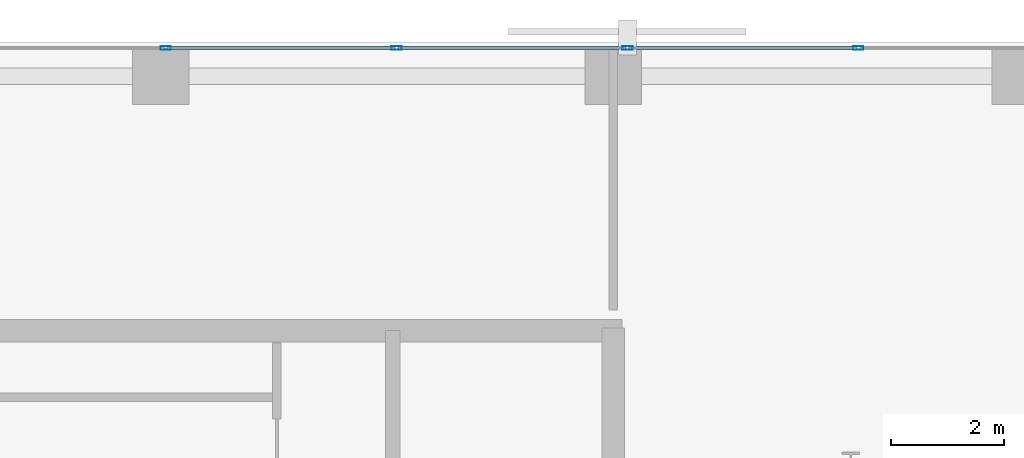
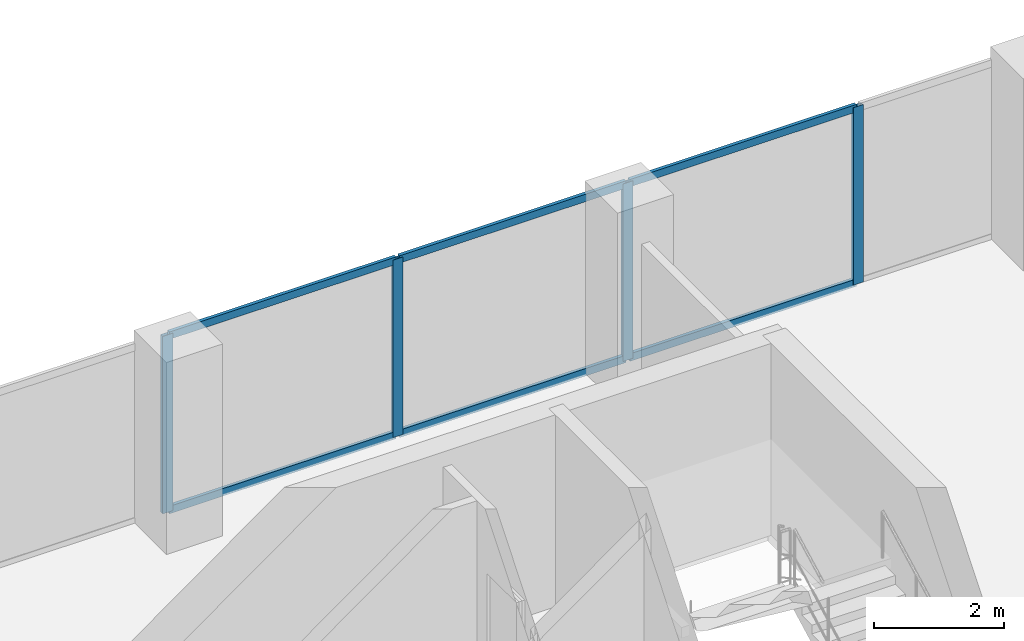
# One storey, part 24 of 32: 10 members, 1 element without a shape of its own.
"""IFC4 building model written with IfcOpenShell, lengths in metres."""

from ifc_helpers import new_model, si_unit, direction, frame, origin, origin_2d, place, context, subcontext, project, spatial, hollow_rectangle, extrude, material, layer, layer_set, material_profile, profile_set, type_object, element, aggregate, save


model = new_model("IFC4")

# Units and contexts
model_context = context("Model", 3, precision=1e-05, world=origin(), true_north=direction((0.0, 1.0)))
body_context = subcontext(model_context, "Body", "Model", "MODEL_VIEW")
ifc_project = project(units=[si_unit("LENGTHUNIT", "METRE"), si_unit("AREAUNIT", "SQUARE_METRE"), si_unit("VOLUMEUNIT", "CUBIC_METRE"), si_unit("PLANEANGLEUNIT", "RADIAN"), si_unit("MASSUNIT", "GRAM", prefix="KILO")], contexts=[model_context])

# Site, building, storey
site_placement = place(None, origin())
site = spatial("IfcSite", under=ifc_project, at=site_placement, CompositionType="ELEMENT")
building_placement = place(site_placement, origin())
building = spatial("IfcBuilding", under=site, at=building_placement, Name="Catumbela Crestline Tower", CompositionType="ELEMENT")
storey_placement = place(building_placement, frame((0.0, 0.0, 29.4)))
storey = spatial("IfcBuildingStorey", under=building, at=storey_placement, Name="L06", CompositionType="ELEMENT", Elevation=29.4)

# Curtain wall, members
ifc_material = material(Name="Aluminium alloy AW-6060-T66", Category="aluminium")
ifc_layer = layer(ifc_material, 0.18, Name="Aluminium alloy AW-6060-T66")
ifc_layer_set = layer_set([ifc_layer], Name="Aluminium alloy AW-6060-T66")
curtain_wall_type = type_object("IfcCurtainWallType", Name="CWU-Z1", PredefinedType="USERDEFINED", material=ifc_layer_set)
curtain_wall_placement = place(storey_placement, origin())
curtain_wall = element("IfcCurtainWall", 1, at=curtain_wall_placement, inside=storey, type_object=curtain_wall_type, Name="L06 Unitised Curtain Wall CW-L06-E7S1", ObjectType="UNITISED", PredefinedType="USERDEFINED")
ifc_material_profile_1 = material_profile(ifc_material, hollow_rectangle(XDim=0.065, YDim=0.18, WallThickness=0.004, at=origin_2d()), Name="ALU 180x65x4")
ifc_profile_set_1 = profile_set([ifc_material_profile_1], Name="Aluminium alloy AW-6060-T66")
member_type_1 = type_object("IfcMemberType", Name="MUL-180X65", PredefinedType="MULLION", material=ifc_profile_set_1)
member_1_placement = place(storey_placement, frame((44.3333, 47.9, 0.0), z_axis=(0.0, 0.0, 1.0), x_axis=(0.0, -1.0, 0.0)))
member_1 = element("IfcMember", 2, at=member_1_placement, type_object=member_type_1, Name="CWU-Z1 mullion 3", PredefinedType="MULLION", context=body_context, shape_type="SweptSolid", body=[
    extrude(hollow_rectangle(XDim=0.065, YDim=0.18, WallThickness=0.004, at=origin_2d()), origin(), (0.0, 0.0, 1.0), 3.33),
])
member_2_placement = place(storey_placement, frame((40.25, 47.9, 0.0), z_axis=(0.0, 0.0, 1.0), x_axis=(0.0, -1.0, 0.0)))
member_2 = element("IfcMember", 3, at=member_2_placement, type_object=member_type_1, Name="CWU-Z1 mullion 4", PredefinedType="MULLION", context=body_context, shape_type="SweptSolid", body=[
    extrude(hollow_rectangle(XDim=0.065, YDim=0.18, WallThickness=0.004, at=origin_2d()), origin(), (0.0, 0.0, 1.0), 3.33),
])
member_3_placement = place(storey_placement, frame((36.1667, 47.9, 0.0), z_axis=(0.0, 0.0, 1.0), x_axis=(0.0, -1.0, 0.0)))
member_3 = element("IfcMember", 4, at=member_3_placement, type_object=member_type_1, Name="CWU-Z1 mullion 5", PredefinedType="MULLION", context=body_context, shape_type="SweptSolid", body=[
    extrude(hollow_rectangle(XDim=0.065, YDim=0.18, WallThickness=0.004, at=origin_2d()), origin(), (0.0, 0.0, 1.0), 3.33),
])
member_4_placement = place(storey_placement, frame((32.0833, 47.9, 0.0), z_axis=(0.0, 0.0, 1.0), x_axis=(0.0, -1.0, 0.0)))
member_4 = element("IfcMember", 5, at=member_4_placement, type_object=member_type_1, Name="CWU-Z1 mullion 6", PredefinedType="MULLION", context=body_context, shape_type="SweptSolid", body=[
    extrude(hollow_rectangle(XDim=0.065, YDim=0.18, WallThickness=0.004, at=origin_2d()), origin(), (0.0, 0.0, 1.0), 3.33),
])
ifc_material_profile_2 = material_profile(ifc_material, hollow_rectangle(XDim=0.06, YDim=0.14, WallThickness=0.004, at=origin_2d()), Name="ALU 140x60x4")
ifc_profile_set_2 = profile_set([ifc_material_profile_2], Name="Aluminium alloy AW-6060-T66")
member_type_2 = type_object("IfcMemberType", Name="TRN-140X60", PredefinedType="USERDEFINED", material=ifc_profile_set_2)
member_5_placement = place(storey_placement, frame((44.3008, 47.9, 0.03), z_axis=(-1.0, 0.0, 0.0), x_axis=(0.0, -1.0, 0.0)))
member_5 = element("IfcMember", 6, at=member_5_placement, type_object=member_type_2, Name="CWU-Z1 transom 3.1", ObjectType="TRANSOM", PredefinedType="USERDEFINED", context=body_context, shape_type="SweptSolid", body=[
    extrude(hollow_rectangle(XDim=0.06, YDim=0.14, WallThickness=0.004, at=origin_2d()), origin(), (0.0, 0.0, 1.0), 4.0183),
])
member_6_placement = place(storey_placement, frame((44.3008, 47.9, 3.3), z_axis=(-1.0, 0.0, 0.0), x_axis=(0.0, -1.0, 0.0)))
member_6 = element("IfcMember", 7, at=member_6_placement, type_object=member_type_2, Name="CWU-Z1 transom 3.2", ObjectType="TRANSOM", PredefinedType="USERDEFINED", context=body_context, shape_type="SweptSolid", body=[
    extrude(hollow_rectangle(XDim=0.06, YDim=0.14, WallThickness=0.004, at=origin_2d()), origin(), (0.0, 0.0, 1.0), 4.0183),
])
member_7_placement = place(storey_placement, frame((40.2175, 47.9, 0.03), z_axis=(-1.0, 0.0, 0.0), x_axis=(0.0, -1.0, 0.0)))
member_7 = element("IfcMember", 8, at=member_7_placement, type_object=member_type_2, Name="CWU-Z1 transom 4.1", ObjectType="TRANSOM", PredefinedType="USERDEFINED", context=body_context, shape_type="SweptSolid", body=[
    extrude(hollow_rectangle(XDim=0.06, YDim=0.14, WallThickness=0.004, at=origin_2d()), origin(), (0.0, 0.0, 1.0), 4.0183),
])
member_8_placement = place(storey_placement, frame((40.2175, 47.9, 3.3), z_axis=(-1.0, 0.0, 0.0), x_axis=(0.0, -1.0, 0.0)))
member_8 = element("IfcMember", 9, at=member_8_placement, type_object=member_type_2, Name="CWU-Z1 transom 4.2", ObjectType="TRANSOM", PredefinedType="USERDEFINED", context=body_context, shape_type="SweptSolid", body=[
    extrude(hollow_rectangle(XDim=0.06, YDim=0.14, WallThickness=0.004, at=origin_2d()), origin(), (0.0, 0.0, 1.0), 4.0183),
])
member_9_placement = place(storey_placement, frame((36.1342, 47.9, 0.03), z_axis=(-1.0, 0.0, 0.0), x_axis=(0.0, -1.0, 0.0)))
member_9 = element("IfcMember", 10, at=member_9_placement, type_object=member_type_2, Name="CWU-Z1 transom 5.1", ObjectType="TRANSOM", PredefinedType="USERDEFINED", context=body_context, shape_type="SweptSolid", body=[
    extrude(hollow_rectangle(XDim=0.06, YDim=0.14, WallThickness=0.004, at=origin_2d()), origin(), (0.0, 0.0, 1.0), 4.0184),
])
member_10_placement = place(storey_placement, frame((36.1342, 47.9, 3.3), z_axis=(-1.0, 0.0, 0.0), x_axis=(0.0, -1.0, 0.0)))
member_10 = element("IfcMember", 11, at=member_10_placement, type_object=member_type_2, Name="CWU-Z1 transom 5.2", ObjectType="TRANSOM", PredefinedType="USERDEFINED", context=body_context, shape_type="SweptSolid", body=[
    extrude(hollow_rectangle(XDim=0.06, YDim=0.14, WallThickness=0.004, at=origin_2d()), origin(), (0.0, 0.0, 1.0), 4.0184),
])
aggregate(curtain_wall, [member_1, member_2, member_3, member_4, member_5, member_6, member_7, member_8, member_9, member_10])

save(model, "model.ifc")
